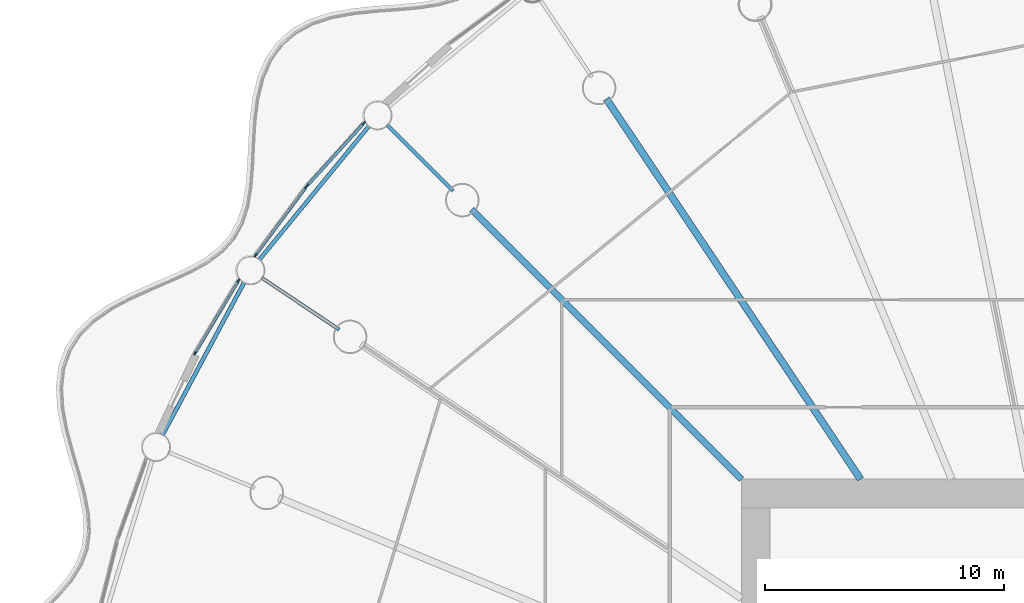
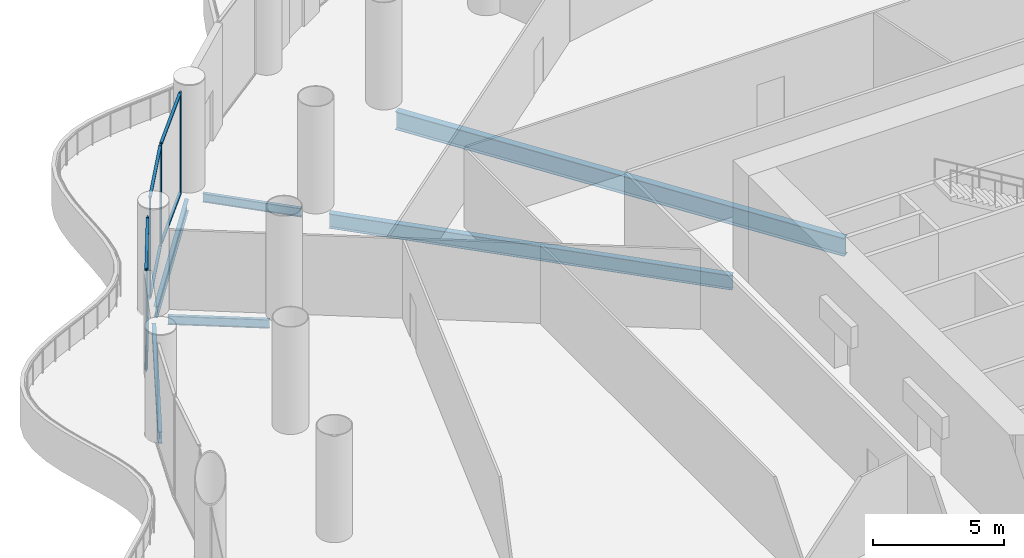
# One storey, part 14 of 38: 12 members, 6 beams, 3 elements without a shape of their own.
"""IFC4 building model written with IfcOpenShell, lengths in metres."""

from ifc_helpers import new_model, si_unit, direction, frame, origin, origin_2d, place, context, subcontext, project, spatial, rectangle, i_section, extrude, material, material_profile, profile_set, type_object, element, aggregate, save


model = new_model("IFC4")

# Units and contexts
model_context = context("Model", 3, precision=1e-05, world=origin(), true_north=direction((0.0, 1.0)))
body_context = subcontext(model_context, "Body", "Model", "MODEL_VIEW")
ifc_project = project(units=[si_unit("LENGTHUNIT", "METRE"), si_unit("AREAUNIT", "SQUARE_METRE"), si_unit("VOLUMEUNIT", "CUBIC_METRE"), si_unit("PLANEANGLEUNIT", "RADIAN"), si_unit("MASSUNIT", "GRAM", prefix="KILO")], contexts=[model_context])

# Site, building, storey
site_placement = place(None, origin())
site = spatial("IfcSite", under=ifc_project, at=site_placement, CompositionType="ELEMENT")
building_placement = place(site_placement, origin())
building = spatial("IfcBuilding", under=site, at=building_placement, Name="Corvane Civic Tower", CompositionType="ELEMENT")
storey_placement = place(building_placement, frame((0.0, 0.0, 32.0)))
storey = spatial("IfcBuildingStorey", under=building, at=storey_placement, Name="L06", CompositionType="ELEMENT", Elevation=32.0)

# Beams
ifc_material_1 = material(Name="Steel ASTM A992 Gr 50", Category="steel")
ifc_material_profile_1 = material_profile(ifc_material_1, i_section(OverallWidth=0.165771484375, OverallDepth=0.5283203125, WebThickness=0.009765625, FlangeThickness=0.013671875, at=origin_2d()), Name="W21X50")
ifc_profile_set_1 = profile_set([ifc_material_profile_1], Name="Steel ASTM A992 Gr 50")
beam_type_1 = type_object("IfcBeamType", Name="EDGE BEAM W21X50", PredefinedType="BEAM", material=ifc_profile_set_1)
for number, where, z_axis, x_axis, name in (
    (1, (-39.1904296875, 16.82568359375, -0.564208984375), (0.471412394598, 0.881912894916, 0.0), (-0.881912894916, 0.471412394598, 0.0), "BM-L06-E27"),
    (2, (-35.15478515625, 24.14794921875, -0.564208984375), (0.634396365205, 0.773007924807, 0.0), (-0.773007924807, 0.634396365205, 0.0), "BM-L06-E28"),
):
    element("IfcBeam", number, at=place(storey_placement, frame(where, z_axis=z_axis, x_axis=x_axis)), inside=storey, type_object=beam_type_1, Name=name, PredefinedType="BEAM", context=body_context, shape_type="SweptSolid", body=[
        extrude(i_section(OverallWidth=0.165771484375, OverallDepth=0.5283203125, WebThickness=0.009765625, FlangeThickness=0.013671875, at=origin_2d()), origin(), (0.0, 0.0, 1.0), 7.270751953125),
    ])
ifc_material_2 = material(Name="Steel ASTM A992 Gr 50", Category="steel")
ifc_material_profile_2 = material_profile(ifc_material_2, i_section(OverallWidth=0.140380859375, OverallDepth=0.40380859375, WebThickness=0.007080078125, FlangeThickness=0.01123046875, at=origin_2d()), Name="W16X31")
ifc_profile_set_2 = profile_set([ifc_material_profile_2], Name="Steel ASTM A992 Gr 50")
beam_type_2 = type_object("IfcBeamType", Name="FLOOR GIRDER W16X31", PredefinedType="BEAM", material=ifc_profile_set_2)
for number, where, z_axis, x_axis, name in (
    (3, (-31.8037109375, 21.25048828125, -0.501953125), (-0.831462344301, 0.555581110199, 0.0), (-0.555581110199, -0.831462344301, 0.0), "BM-L06-G28b"),
    (4, (-27.046875, 27.046875, -0.501953125), (-0.707106781187, 0.707106781187, 0.0), (-0.707106781187, -0.707106781187, 0.0), "BM-L06-G29b"),
):
    element("IfcBeam", number, at=place(storey_placement, frame(where, z_axis=z_axis, x_axis=x_axis)), inside=storey, type_object=beam_type_2, Name=name, PredefinedType="BEAM", context=body_context, shape_type="SweptSolid", body=[
        extrude(i_section(OverallWidth=0.140380859375, OverallDepth=0.40380859375, WebThickness=0.007080078125, FlangeThickness=0.01123046875, at=origin_2d()), origin(), (0.0, 0.0, 1.0), 3.89990234375),
    ])
ifc_material_3 = material(Name="Steel ASTM A992 Gr 50", Category="steel")
ifc_material_profile_3 = material_profile(ifc_material_3, i_section(OverallWidth=0.25390625, OverallDepth=0.67822265625, WebThickness=0.01171875, FlangeThickness=0.016357421875, at=origin_2d()), Name="W27X84")
ifc_profile_set_3 = profile_set([ifc_material_profile_3], Name="Steel ASTM A992 Gr 50")
beam_type_3 = type_object("IfcBeamType", Name="FLOOR GIRDER W27X84", PredefinedType="BEAM", material=ifc_profile_set_3)
beam_1_placement = place(storey_placement, frame((-15.0, 15.0, -0.63916015625), z_axis=(-0.707106781187, 0.707106781187, 0.0), x_axis=(-0.707106781187, -0.707106781187, 0.0)))
element("IfcBeam", 5, at=beam_1_placement, inside=storey, type_object=beam_type_3, Name="BM-L06-G29", PredefinedType="BEAM", context=body_context, shape_type="SweptSolid", body=[
    extrude(i_section(OverallWidth=0.25390625, OverallDepth=0.67822265625, WebThickness=0.01171875, FlangeThickness=0.016357421875, at=origin_2d()), origin(), (0.0, 0.0, 1.0), 15.936767578125),
])
ifc_material_4 = material(Name="Steel ASTM A992 Gr 50", Category="steel")
ifc_material_profile_4 = material_profile(ifc_material_4, i_section(OverallWidth=0.2919921875, OverallDepth=0.845703125, WebThickness=0.015380859375, FlangeThickness=0.0244140625, at=origin_2d()), Name="W33X141")
ifc_profile_set_4 = profile_set([ifc_material_profile_4], Name="Steel ASTM A992 Gr 50")
beam_type_4 = type_object("IfcBeamType", Name="FLOOR GIRDER W33X141", PredefinedType="BEAM", material=ifc_profile_set_4)
beam_2_placement = place(storey_placement, frame((-10.022705078125, 15.0, -0.722900390625), z_axis=(-0.555566681385, 0.831471985418, 0.0), x_axis=(-0.831471985418, -0.555566681385, 0.0)))
element("IfcBeam", 6, at=beam_2_placement, inside=storey, type_object=beam_type_4, Name="BM-L06-G30", PredefinedType="BEAM", context=body_context, shape_type="SweptSolid", body=[
    extrude(i_section(OverallWidth=0.2919921875, OverallDepth=0.845703125, WebThickness=0.015380859375, FlangeThickness=0.0244140625, at=origin_2d()), origin(), (0.0, 0.0, 1.0), 19.109619140625),
])

# Curtain wall, members
ifc_material_5 = material(Name="Aluminium and glass", Category="aluminium")
curtain_wall_type = type_object("IfcCurtainWallType", Name="PODIUM-CW-P-RUN", PredefinedType="NOTDEFINED", material=ifc_material_5)
curtain_wall_1_placement = place(storey_placement, origin())
curtain_wall_1 = element("IfcCurtainWall", 7, at=curtain_wall_1_placement, inside=storey, type_object=curtain_wall_type, Name="PODI run L06-drum-27B", PredefinedType="NOTDEFINED")
ifc_material_6 = material(Name="Anodised aluminium bronze", Category="aluminium")
ifc_material_profile_5 = material_profile(ifc_material_6, rectangle(XDim=0.06005859375, YDim=0.159912109375, at=origin_2d()), Name="AL 60x160")
ifc_profile_set_5 = profile_set([ifc_material_profile_5], Name="Anodised aluminium bronze")
member_type_1 = type_object("IfcMemberType", Name="PODIUM-CWP-MULLION-60x160", PredefinedType="MULLION", material=ifc_profile_set_5)
member_1_placement = place(storey_placement, frame((-37.819580078125, 20.2666015625, 0.0), z_axis=(0.0, 0.0, 1.0), x_axis=(-0.857719609779, 0.514117759857, 0.0)))
member_1 = element("IfcMember", 8, at=member_1_placement, type_object=member_type_1, Name="CW-P mullion 1", PredefinedType="MULLION", context=body_context, shape_type="SweptSolid", body=[
    extrude(rectangle(XDim=0.06005859375, YDim=0.159912109375, at=origin_2d()), origin(), (0.0, 0.0, 1.0), 4.699951171875),
])
member_2_placement = place(storey_placement, frame((-36.010009765625, 23.28564453125, 0.0), z_axis=(0.0, 0.0, 1.0), x_axis=(-0.857719609779, 0.514117759857, 0.0)))
member_2 = element("IfcMember", 9, at=member_2_placement, type_object=member_type_1, Name="CW-P mullion 2", PredefinedType="MULLION", context=body_context, shape_type="SweptSolid", body=[
    extrude(rectangle(XDim=0.06005859375, YDim=0.159912109375, at=origin_2d()), origin(), (0.0, 0.0, 1.0), 4.699951171875),
])

curtain_wall_2_placement = place(storey_placement, origin())
curtain_wall_2 = element("IfcCurtainWall", 10, at=curtain_wall_2_placement, inside=storey, type_object=curtain_wall_type, Name="PODI run L06-drum-28A", PredefinedType="NOTDEFINED")
member_3_placement = place(storey_placement, frame((-35.293701171875, 24.35791015625, 0.0), z_axis=(0.0, 0.0, 1.0), x_axis=(-0.803203229747, 0.595705104665, 0.0)))
member_3 = element("IfcMember", 11, at=member_3_placement, type_object=member_type_1, Name="CW-P mullion 1", PredefinedType="MULLION", context=body_context, shape_type="SweptSolid", body=[
    extrude(rectangle(XDim=0.06005859375, YDim=0.159912109375, at=origin_2d()), origin(), (0.0, 0.0, 1.0), 4.699951171875),
])
member_4_placement = place(storey_placement, frame((-33.197021484375, 27.18505859375, 0.0), z_axis=(0.0, 0.0, 1.0), x_axis=(-0.803203229747, 0.595705104665, 0.0)))
member_4 = element("IfcMember", 12, at=member_4_placement, type_object=member_type_1, Name="CW-P mullion 2", PredefinedType="MULLION", context=body_context, shape_type="SweptSolid", body=[
    extrude(rectangle(XDim=0.06005859375, YDim=0.159912109375, at=origin_2d()), origin(), (0.0, 0.0, 1.0), 4.699951171875),
])

curtain_wall_3_placement = place(storey_placement, origin())
curtain_wall_3 = element("IfcCurtainWall", 13, at=curtain_wall_3_placement, inside=storey, type_object=curtain_wall_type, Name="PODI run L06-drum-28B", PredefinedType="NOTDEFINED")
member_5_placement = place(storey_placement, frame((-33.13916015625, 27.25537109375, 0.0), z_axis=(0.0, 0.0, 1.0), x_axis=(-0.740935261089, 0.671576457952, 0.0)))
member_5 = element("IfcMember", 14, at=member_5_placement, type_object=member_type_1, Name="CW-P mullion 1", PredefinedType="MULLION", context=body_context, shape_type="SweptSolid", body=[
    extrude(rectangle(XDim=0.06005859375, YDim=0.159912109375, at=origin_2d()), origin(), (0.0, 0.0, 1.0), 4.699951171875),
])
member_6_placement = place(storey_placement, frame((-30.775390625, 29.863525390625, 0.0), z_axis=(0.0, 0.0, 1.0), x_axis=(-0.740935261089, 0.671576457952, 0.0)))
member_6 = element("IfcMember", 15, at=member_6_placement, type_object=member_type_1, Name="CW-P mullion 2", PredefinedType="MULLION", context=body_context, shape_type="SweptSolid", body=[
    extrude(rectangle(XDim=0.06005859375, YDim=0.159912109375, at=origin_2d()), origin(), (0.0, 0.0, 1.0), 4.699951171875),
])

# Member
ifc_material_7 = material(Name="Anodised aluminium bronze", Category="aluminium")
ifc_material_profile_6 = material_profile(ifc_material_7, rectangle(XDim=0.1201171875, YDim=0.06005859375, at=origin_2d()), Name="AL 120x60")
ifc_profile_set_6 = profile_set([ifc_material_profile_6], Name="Anodised aluminium bronze")
member_type_2 = type_object("IfcMemberType", Name="PODIUM-CWP-TRANSOM-60x120", PredefinedType="USERDEFINED", material=ifc_profile_set_6)
member_7_placement = place(storey_placement, frame((-37.80419921875, 20.29248046875, 0.030029296875), z_axis=(0.514111713099, 0.857723234181, 0.0), x_axis=(-0.857723234181, 0.514111713099, 0.0)))
member_7 = element("IfcMember", 16, at=member_7_placement, type_object=member_type_2, Name="CW-P transom 1.1", ObjectType="TRANSOM", PredefinedType="USERDEFINED", context=body_context, shape_type="SweptSolid", body=[
    extrude(rectangle(XDim=0.1201171875, YDim=0.06005859375, at=origin_2d()), origin(), (0.0, 0.0, 1.0), 3.45947265625),
])

member_8_placement = place(storey_placement, frame((-37.80419921875, 20.29248046875, 4.669921875), z_axis=(0.514111713099, 0.857723234181, 0.0), x_axis=(-0.857723234181, 0.514111713099, 0.0)))
member_8 = element("IfcMember", 17, at=member_8_placement, type_object=member_type_2, Name="CW-P transom 1.2", ObjectType="TRANSOM", PredefinedType="USERDEFINED", context=body_context, shape_type="SweptSolid", body=[
    extrude(rectangle(XDim=0.1201171875, YDim=0.06005859375, at=origin_2d()), origin(), (0.0, 0.0, 1.0), 3.45947265625),
])

aggregate(curtain_wall_1, [member_1, member_2, member_7, member_8])

member_9_placement = place(storey_placement, frame((-35.27587890625, 24.382080078125, 0.030029296875), z_axis=(0.595723591285, 0.803189518598, 0.0), x_axis=(-0.803189518598, 0.595723591285, 0.0)))
member_9 = element("IfcMember", 18, at=member_9_placement, type_object=member_type_2, Name="CW-P transom 1.1", ObjectType="TRANSOM", PredefinedType="USERDEFINED", context=body_context, shape_type="SweptSolid", body=[
    extrude(rectangle(XDim=0.1201171875, YDim=0.06005859375, at=origin_2d()), origin(), (0.0, 0.0, 1.0), 3.459716796875),
])

member_10_placement = place(storey_placement, frame((-35.27587890625, 24.382080078125, 4.669921875), z_axis=(0.595723591285, 0.803189518598, 0.0), x_axis=(-0.803189518598, 0.595723591285, 0.0)))
member_10 = element("IfcMember", 19, at=member_10_placement, type_object=member_type_2, Name="CW-P transom 1.2", ObjectType="TRANSOM", PredefinedType="USERDEFINED", context=body_context, shape_type="SweptSolid", body=[
    extrude(rectangle(XDim=0.1201171875, YDim=0.06005859375, at=origin_2d()), origin(), (0.0, 0.0, 1.0), 3.459716796875),
])

aggregate(curtain_wall_2, [member_3, member_4, member_9, member_10])

member_11_placement = place(storey_placement, frame((-33.119140625, 27.277587890625, 0.030029296875), z_axis=(0.671576323599, 0.740935382865, 0.0), x_axis=(-0.740935382865, 0.671576323599, 0.0)))
member_11 = element("IfcMember", 20, at=member_11_placement, type_object=member_type_2, Name="CW-P transom 1.1", ObjectType="TRANSOM", PredefinedType="USERDEFINED", context=body_context, shape_type="SweptSolid", body=[
    extrude(rectangle(XDim=0.1201171875, YDim=0.06005859375, at=origin_2d()), origin(), (0.0, 0.0, 1.0), 3.460205078125),
])

member_12_placement = place(storey_placement, frame((-33.119140625, 27.277587890625, 4.669921875), z_axis=(0.671576323599, 0.740935382865, 0.0), x_axis=(-0.740935382865, 0.671576323599, 0.0)))
member_12 = element("IfcMember", 21, at=member_12_placement, type_object=member_type_2, Name="CW-P transom 1.2", ObjectType="TRANSOM", PredefinedType="USERDEFINED", context=body_context, shape_type="SweptSolid", body=[
    extrude(rectangle(XDim=0.1201171875, YDim=0.06005859375, at=origin_2d()), origin(), (0.0, 0.0, 1.0), 3.460205078125),
])

aggregate(curtain_wall_3, [member_5, member_6, member_11, member_12])

save(model, "model.ifc")
